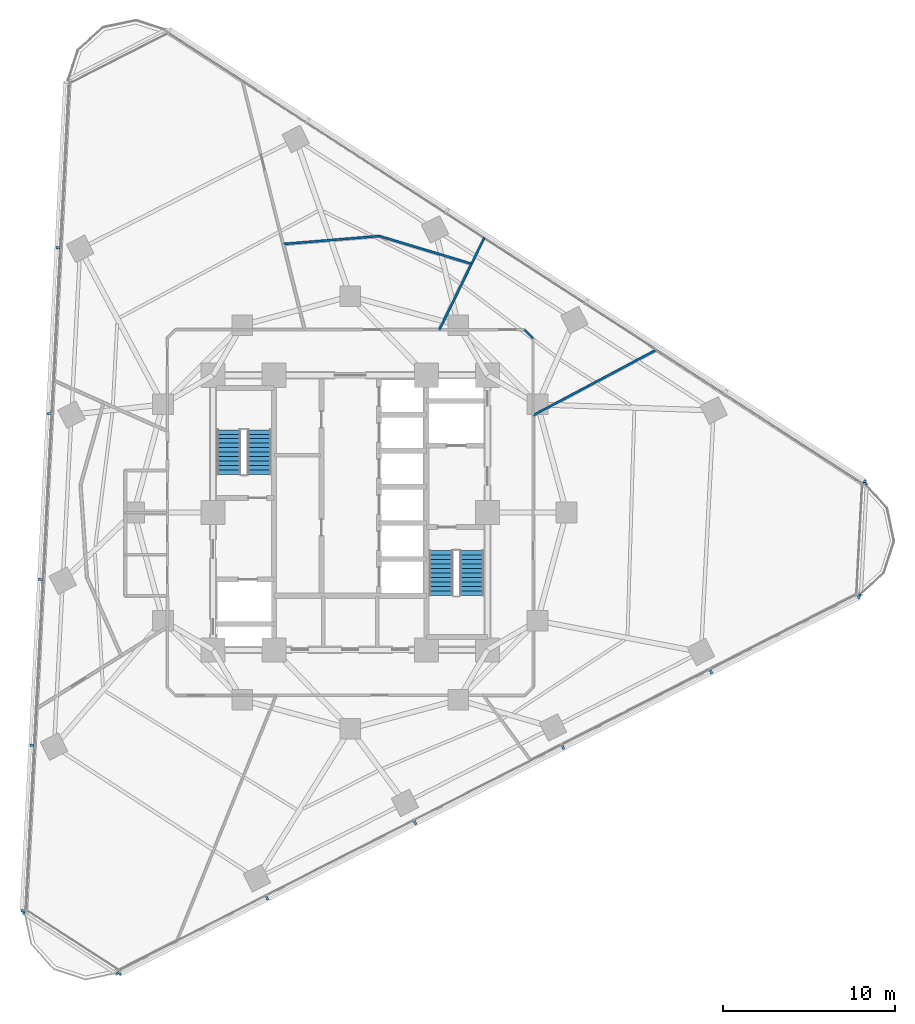
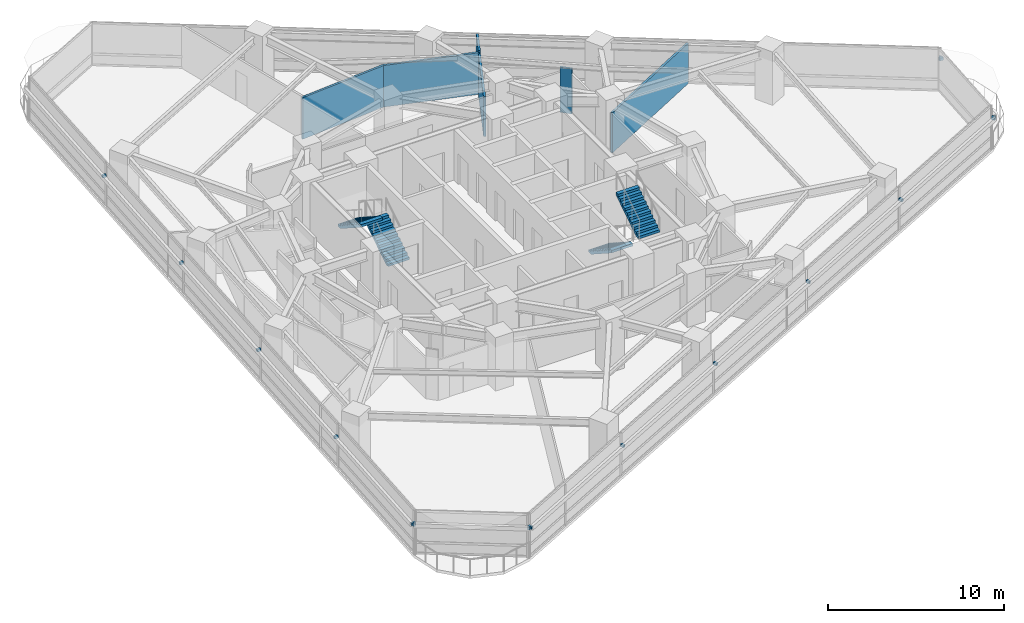
# One storey, part 10 of 14: 16 discrete accessories, 6 walls, 4 stair flights, 2 elements without a shape of their own.
"""IFC4 building model written with IfcOpenShell, lengths in metres."""

import ifcopenshell
import ifcopenshell.guid

model = None  # the IFC model being written
_history = None  # IfcOwnerHistory: only IFC2X3 demands one
_inside = {}  # id of a spatial element -> (the spatial element, [elements in it])
_under = {}  # id of a project, library or spatial element -> (it, [spatial elements below it])
_declared = {}  # id of a project -> (the project, [libraries it declares])
_typed = {}  # id of a type object -> (the type object, [elements of that type])
_made_of = {}  # id of a material, layer set ... -> (it, [elements and type objects made of it])


def new_model(schema):
    """Start an empty IFC model of exactly this schema.

    Asked for "IFC4X3", IfcOpenShell would pick the latest addendum, in which some entities
    have other attributes; the version numbers below select the first issue.
    IFC2X3 requires an IfcOwnerHistory on every rooted entity: one is made here for all.
    """
    global model, _history
    if schema == "IFC4X3":
        model = ifcopenshell.file(schema_version=(4, 3, 0, 0))
    else:
        model = ifcopenshell.file(schema=schema)
    _inside.clear()
    _under.clear()
    _declared.clear()
    _typed.clear()
    _made_of.clear()
    _history = None
    if model.schema == "IFC2X3":
        org = make("IfcOrganization", Name="unknown")
        user = make(
            "IfcPersonAndOrganization",
            ThePerson=make("IfcPerson", FamilyName="unknown"),
            TheOrganization=org,
        )
        app = make(
            "IfcApplication",
            ApplicationDeveloper=org,
            Version="unknown",
            ApplicationFullName="unknown",
            ApplicationIdentifier="unknown",
        )
        _history = make(
            "IfcOwnerHistory",
            OwningUser=user,
            OwningApplication=app,
            ChangeAction="ADDED",
            CreationDate=0,
        )
    return model


def make(cls, **values):
    """One entity of the class cls with the attributes given. An attribute that is None is left unset."""
    return model.create_entity(
        cls, **{name: value for name, value in values.items() if value is not None}
    )


def rooted(cls, **values):
    """An entity with a GlobalId (a new one), such as an element, a storey or a relation."""
    return make(cls, GlobalId=ifcopenshell.guid.new(), OwnerHistory=_history, **values)


def si_unit(unit_type, name, prefix=None):
    """IfcSIUnit, for example si_unit("LENGTHUNIT", "METRE", prefix="MILLI")."""
    return make("IfcSIUnit", UnitType=unit_type, Prefix=prefix, Name=name)


def assignment(units):
    """IfcUnitAssignment: the units of a project."""
    return None if units is None else make("IfcUnitAssignment", Units=units)


def point(xyz):
    """IfcCartesianPoint."""
    return None if xyz is None else make("IfcCartesianPoint", Coordinates=xyz)


def direction(xyz):
    """IfcDirection."""
    return None if xyz is None else make("IfcDirection", DirectionRatios=xyz)


def frame(location, z_axis=None, x_axis=None):
    """IfcAxis2Placement3D, a coordinate frame: its origin and axes. An axis left out is left unset."""
    return make(
        "IfcAxis2Placement3D",
        Location=point(location),
        Axis=direction(z_axis),
        RefDirection=direction(x_axis),
    )


def frame_2d(location, x_axis=None):
    """IfcAxis2Placement2D, a coordinate frame in the plane: its origin and x axis."""
    return make(
        "IfcAxis2Placement2D", Location=point(location), RefDirection=direction(x_axis)
    )


def origin():
    """The frame at (0, 0, 0) with its axes left unset."""
    return frame((0.0, 0.0, 0.0))


def origin_2d():
    """The frame at (0, 0) in the plane with its x axis left unset."""
    return frame_2d((0.0, 0.0))


def place(relative_to, where):
    """IfcLocalPlacement: puts the frame where relative to a parent placement (None: the world)."""
    return make(
        "IfcLocalPlacement", PlacementRelTo=relative_to, RelativePlacement=where
    )


def context(
    kind, dimensions, precision=None, world=None, true_north=None, identifier=None
):
    """IfcGeometricRepresentationContext, for example the 3D "Model" context."""
    return make(
        "IfcGeometricRepresentationContext",
        ContextIdentifier=identifier,
        ContextType=kind,
        CoordinateSpaceDimension=dimensions,
        Precision=precision,
        WorldCoordinateSystem=world,
        TrueNorth=true_north,
    )


def subcontext(parent, identifier, kind, view, scale=None):
    """IfcGeometricRepresentationSubContext, for example "Body" below "Model"."""
    return make(
        "IfcGeometricRepresentationSubContext",
        ContextIdentifier=identifier,
        ContextType=kind,
        ParentContext=parent,
        TargetScale=scale,
        TargetView=view,
    )


def project(units=None, contexts=None):
    """IfcProject with its units and contexts."""
    return rooted(
        "IfcProject",
        Name="project",
        RepresentationContexts=contexts,
        UnitsInContext=assignment(units),
    )


def spatial(cls, under=None, at=None, **own):
    """A site, building, storey or space (cls), placed at a placement, below another one or the project."""
    s = rooted(cls, ObjectPlacement=at, **own)
    if under is not None:
        _under.setdefault(under.id(), (under, []))[1].append(s)
    return s


def polyline(points):
    """IfcPolyline through the points."""
    return make("IfcPolyline", Points=[point(p) for p in points])


def profile(cls, at=None, kind="AREA", **sizes):
    """A parametric profile (cls). Its sizes go by their IFC names, for example OverallWidth=200.0."""
    return make(cls, ProfileType=kind, Position=at, **sizes)


def rectangle(**sizes):
    """IfcRectangleProfileDef."""
    return profile("IfcRectangleProfileDef", **sizes)


def outline(outer, holes=None, kind="AREA"):
    """IfcArbitraryClosedProfileDef: a profile drawn as a closed curve; with holes, ...WithVoids."""
    if holes is None:
        return make("IfcArbitraryClosedProfileDef", ProfileType=kind, OuterCurve=outer)
    return make(
        "IfcArbitraryProfileDefWithVoids",
        ProfileType=kind,
        OuterCurve=outer,
        InnerCurves=holes,
    )


def extrude(swept, where, along, depth):
    """IfcExtrudedAreaSolid: the profile swept, set in the frame where, extruded along a direction by depth."""
    return make(
        "IfcExtrudedAreaSolid",
        SweptArea=swept,
        Position=where,
        ExtrudedDirection=direction(along),
        Depth=depth,
    )


def shape(context_of_items, identifier, shape_type, items):
    """IfcShapeRepresentation: the items that make up one representation, for example the "Body"."""
    return make(
        "IfcShapeRepresentation",
        ContextOfItems=context_of_items,
        RepresentationIdentifier=identifier,
        RepresentationType=shape_type,
        Items=items,
    )


def material(Name=None, Category=None):
    """IfcMaterial."""
    return make("IfcMaterial", Name=Name, Category=Category)


def layer(
    of_material, thickness, ventilated=None, Name=None, Category=None, Priority=None
):
    """IfcMaterialLayer: one layer of a wall or slab, of a material (None: an air gap)."""
    return make(
        "IfcMaterialLayer",
        Material=of_material,
        LayerThickness=thickness,
        IsVentilated=ventilated,
        Name=Name,
        Category=Category,
        Priority=Priority,
    )


def layer_set(layers, Name=None):
    """IfcMaterialLayerSet."""
    return make("IfcMaterialLayerSet", MaterialLayers=layers, LayerSetName=Name)


def made_of(thing, what):
    """Note that an element or type object is made of a material, layer set ...; save() writes the relation."""
    if what is not None:
        _made_of.setdefault(what.id(), (what, []))[1].append(thing)
    return thing


def type_object(cls, material=None, **own):
    """A type object (cls), such as IfcWallType, which elements share."""
    return made_of(rooted(cls, **own), material)


def element(
    cls,
    number,
    at=None,
    inside=None,
    cuts=None,
    type_object=None,
    material=None,
    context=None,
    identifier="Body",
    shape_type=None,
    held_by="IfcProductDefinitionShape",
    body=None,
    shapes=None,
    **own,
):
    """One element of the class cls, such as IfcWall. Its Tag is "e" and its number.

    at: its placement. inside: the storey or other place that contains it. cuts: it is an
    opening in that element (IfcRelVoidsElement). A single representation is given by context,
    identifier, shape_type and body (its items); several are given by shapes. held_by: the class
    of the entity that holds the representations. save() writes the other relations.
    """
    e = rooted(cls, Tag="e%d" % number, ObjectPlacement=at, **own)
    if body is not None:
        shapes = [shape(context, identifier, shape_type, body)]
    if shapes is not None:
        e.Representation = make(held_by, Representations=shapes)
    if inside is not None:
        _inside.setdefault(inside.id(), (inside, []))[1].append(e)
    if cuts is not None:
        rooted(
            "IfcRelVoidsElement", RelatingBuildingElement=cuts, RelatedOpeningElement=e
        )
    if type_object is not None:
        _typed.setdefault(type_object.id(), (type_object, []))[1].append(e)
    return made_of(e, material)


def aggregate(whole, parts):
    """IfcRelAggregates: a whole, such as a stair, and the parts it consists of."""
    return rooted("IfcRelAggregates", RelatingObject=whole, RelatedObjects=parts)


def save(model, path):
    """Write the relations noted so far, then the file.

    IfcRelAggregates (storeys below a building ...), IfcRelContainedInSpatialStructure (elements
    in a storey), IfcRelDefinesByType, IfcRelAssociatesMaterial and IfcRelDeclares: one each for
    every whole, place, type object, material and project.
    """
    for whole, parts in _under.values():
        aggregate(whole, parts)
    for where, things in _inside.values():
        rooted(
            "IfcRelContainedInSpatialStructure",
            RelatedElements=things,
            RelatingStructure=where,
        )
    for kind, things in _typed.values():
        rooted("IfcRelDefinesByType", RelatedObjects=things, RelatingType=kind)
    for what, things in _made_of.values():
        rooted("IfcRelAssociatesMaterial", RelatedObjects=things, RelatingMaterial=what)
    for by, libraries in _declared.values():
        rooted("IfcRelDeclares", RelatingContext=by, RelatedDefinitions=libraries)
    model.write(path)


model = new_model("IFC4")

# Units and contexts
model_context = context("Model", 3, precision=1e-05, world=origin(), true_north=direction((0.0, 1.0)))
body_context = subcontext(model_context, "Body", "Model", "MODEL_VIEW")
ifc_project = project(units=[si_unit("LENGTHUNIT", "METRE"), si_unit("AREAUNIT", "SQUARE_METRE"), si_unit("VOLUMEUNIT", "CUBIC_METRE"), si_unit("PLANEANGLEUNIT", "RADIAN"), si_unit("MASSUNIT", "GRAM", prefix="KILO")], contexts=[model_context])

# Site, building, storey
site_placement = place(None, origin())
site = spatial("IfcSite", under=ifc_project, at=site_placement, CompositionType="ELEMENT")
building_placement = place(site_placement, origin())
building = spatial("IfcBuilding", under=site, at=building_placement, Name="Terralouvre Media Tower", CompositionType="ELEMENT")
storey_placement = place(building_placement, frame((0.0, 0.0, 138.39990234375)))
storey = spatial("IfcBuildingStorey", under=building, at=storey_placement, Name="L35", CompositionType="ELEMENT", Elevation=138.39990234375)

# Walls
ifc_material_1 = material(Name="Fire-rated gypsum board drywall partition")
ifc_layer = layer(ifc_material_1, 0.135009765625, Name="Newsroom Acoustic Partition PT-135")
ifc_layer_set = layer_set([ifc_layer], Name="Fire-rated gypsum board drywall partition")
wall_type = type_object("IfcWallType", Name="Newsroom Acoustic Partition PT-135", PredefinedType="PARTITIONING", material=ifc_layer_set)
wall_1_placement = place(storey_placement, frame((10.64990234375, 10.14990234375, 0.0), z_axis=(0.0, 0.0, 1.0), x_axis=(-0.707106781187, 0.707106781187, 0.0)))
element("IfcWall", 1, at=wall_1_placement, inside=storey, type_object=wall_type, Name="L35 Interior Partition 013", PredefinedType="PARTITIONING", context=body_context, shape_type="SweptSolid", body=[
    extrude(rectangle(XDim=0.70703125, YDim=0.135009765625, at=frame_2d((0.353515625, 0.0))), origin(), (0.0, 0.0, 1.0), 3.125),
])
wall_2_placement = place(storey_placement, frame((17.8603515625, 9.49658203125, 0.0), z_axis=(0.0, 0.0, 1.0), x_axis=(-0.882966259968, -0.469436453376, 0.0)))
element("IfcWall", 2, at=wall_2_placement, inside=storey, type_object=wall_type, Name="L35 Interior Partition 036", PredefinedType="PARTITIONING", context=body_context, shape_type="SweptSolid", body=[
    extrude(rectangle(XDim=8.166259765625, YDim=0.135009765625, at=frame_2d((4.0830078125, 0.0))), origin(), (0.0, 0.0, 1.0), 2.78515625),
])
wall_3_placement = place(storey_placement, frame((7.069091796875, 14.492919921875, 0.0), z_axis=(0.0, 0.0, 1.0), x_axis=(-0.438491124388, -0.898735519401, 0.0)))
element("IfcWall", 3, at=wall_3_placement, inside=storey, type_object=wall_type, Name="L35 Interior Partition 037", PredefinedType="PARTITIONING", context=body_context, shape_type="SweptSolid", body=[
    extrude(rectangle(XDim=4.276123046875, YDim=0.135009765625, at=frame_2d((2.13818359375, 0.0))), origin(), (0.0, 0.0, 1.0), 2.78515625),
])
wall_4_placement = place(storey_placement, frame((7.8134765625, 16.02099609375, 0.0), z_axis=(0.0, 0.0, 1.0), x_axis=(-0.437939658317, -0.899004369107, 0.0)))
element("IfcWall", 4, at=wall_4_placement, inside=storey, type_object=wall_type, Name="L35 Interior Partition 038", PredefinedType="PARTITIONING", context=body_context, shape_type="SweptSolid", body=[
    extrude(rectangle(XDim=1.69970703125, YDim=0.135009765625, at=frame_2d((0.849853515625, 0.0))), origin(), (0.0, 0.0, 1.0), 2.985107421875),
])
wall_5_placement = place(storey_placement, frame((7.069091796875, 14.492919921875, 0.0), z_axis=(0.0, 0.0, 1.0), x_axis=(-0.957562573124, 0.288225464789, 0.0)))
element("IfcWall", 5, at=wall_5_placement, inside=storey, type_object=wall_type, Name="L35 Interior Partition 039", PredefinedType="PARTITIONING", context=body_context, shape_type="SweptSolid", body=[
    extrude(rectangle(XDim=5.6142578125, YDim=0.135009765625, at=frame_2d((2.80712890625, 0.0))), origin(), (0.0, 0.0, 1.0), 2.885009765625),
])
wall_6_placement = place(storey_placement, frame((1.693115234375, 16.111083984375, 0.0), z_axis=(0.0, 0.0, 1.0), x_axis=(-0.996561637531, -0.082854707786, 0.0)))
element("IfcWall", 6, at=wall_6_placement, inside=storey, type_object=wall_type, Name="L35 Interior Partition 040", PredefinedType="PARTITIONING", context=body_context, shape_type="SweptSolid", body=[
    extrude(rectangle(XDim=5.61328125, YDim=0.135009765625, at=frame_2d((2.806640625, 0.0))), origin(), (0.0, 0.0, 1.0), 2.885009765625),
])

# Stair, stair flights
ifc_material_2 = material(Name="Concrete C45/55", Category="concrete")
stair_type_1 = type_object("IfcStairType", Name="Dogleg Stair Assembly ST-01", PredefinedType="HALF_TURN_STAIR", material=ifc_material_2)
stair_1_placement = place(storey_placement, origin())
stair_1 = element("IfcStair", 7, at=stair_1_placement, inside=storey, type_object=stair_type_1, Name="L35 Core Pressurised Exit Stair ST-01", PredefinedType="HALF_TURN_STAIR")
ifc_material_3 = material(Name="Concrete C45/55", Category="concrete")
stair_flight_type = type_object("IfcStairFlightType", Name="Reinforced Concrete Stair Flight SF-RC1", PredefinedType="STRAIGHT", material=ifc_material_3)
stair_flight_1_placement = place(storey_placement, frame((-5.300048828125, 2.219970703125, 0.0), z_axis=(0.0, 0.0, 1.0), x_axis=(0.0, 1.0, 0.0)))
stair_flight_1 = element("IfcStairFlight", 8, at=stair_flight_1_placement, type_object=stair_flight_type, Name="ST-01 flight 1", NumberOfRisers=11, NumberOfTreads=10, PredefinedType="STRAIGHT", RiserHeight=0.168181818, TreadLength=0.26, context=body_context, shape_type="SweptSolid", body=[
    extrude(outline(polyline([(0.0, 0.0), (0.0, 0.168212890625), (0.260009765625, 0.168212890625), (0.260009765625, 0.33642578125), (0.52001953125, 0.33642578125), (0.52001953125, 0.504638671875), (0.780029296875, 0.504638671875), (0.780029296875, 0.672607421875), (1.0400390625, 0.672607421875), (1.0400390625, 0.8408203125), (1.300048828125, 0.8408203125), (1.300048828125, 1.009033203125), (1.56005859375, 1.009033203125), (1.56005859375, 1.17724609375), (1.820068359375, 1.17724609375), (1.820068359375, 1.345458984375), (2.080078125, 1.345458984375), (2.080078125, 1.513671875), (2.340087890625, 1.513671875), (2.340087890625, 1.681884765625), (2.60009765625, 1.681884765625), (2.60009765625, 1.85009765625), (2.60009765625, 1.503173828125), (0.27587890625, 0.0), (0.0, 0.0)])), frame((0.0, 0.699951171875, 0.0), z_axis=(0.0, -1.0, 0.0), x_axis=(1.0, 0.0, 0.0)), (0.0, 0.0, 1.0), 1.39990234375),
])
stair_flight_2_placement = place(storey_placement, frame((-7.080078125, 4.820068359375, 1.85009765625), z_axis=(0.0, 0.0, 1.0), x_axis=(0.0, -1.0, 0.0)))
stair_flight_2 = element("IfcStairFlight", 9, at=stair_flight_2_placement, type_object=stair_flight_type, Name="ST-01 flight 2", NumberOfRisers=11, NumberOfTreads=10, PredefinedType="STRAIGHT", RiserHeight=0.168181818, TreadLength=0.26, context=body_context, shape_type="SweptSolid", body=[
    extrude(outline(polyline([(0.0, 0.0), (0.0, 0.168212890625), (0.260009765625, 0.168212890625), (0.260009765625, 0.33642578125), (0.52001953125, 0.33642578125), (0.52001953125, 0.504638671875), (0.780029296875, 0.504638671875), (0.780029296875, 0.672607421875), (1.0400390625, 0.672607421875), (1.0400390625, 0.8408203125), (1.300048828125, 0.8408203125), (1.300048828125, 1.009033203125), (1.56005859375, 1.009033203125), (1.56005859375, 1.17724609375), (1.820068359375, 1.17724609375), (1.820068359375, 1.345458984375), (2.080078125, 1.345458984375), (2.080078125, 1.513671875), (2.340087890625, 1.513671875), (2.340087890625, 1.681884765625), (2.60009765625, 1.681884765625), (2.60009765625, 1.85009765625), (2.60009765625, 1.503173828125), (0.27587890625, 0.0), (0.0, 0.0)])), frame((0.0, 0.699951171875, 0.0), z_axis=(0.0, -1.0, 0.0), x_axis=(1.0, 0.0, 0.0)), (0.0, 0.0, 1.0), 1.39990234375),
])
aggregate(stair_1, [stair_flight_1, stair_flight_2])

ifc_material_4 = material(Name="Concrete C45/55", Category="concrete")
stair_type_2 = type_object("IfcStairType", Name="Dogleg Stair Assembly ST-02", PredefinedType="HALF_TURN_STAIR", material=ifc_material_4)
stair_2_placement = place(storey_placement, origin())
stair_2 = element("IfcStair", 10, at=stair_2_placement, inside=storey, type_object=stair_type_2, Name="L35 Core Pressurised Exit Stair ST-02", PredefinedType="HALF_TURN_STAIR")
stair_flight_3_placement = place(storey_placement, frame((5.300048828125, -2.219970703125, 0.0), z_axis=(0.0, 0.0, 1.0), x_axis=(0.0, -1.0, 0.0)))
stair_flight_3 = element("IfcStairFlight", 11, at=stair_flight_3_placement, type_object=stair_flight_type, Name="ST-02 flight 1", NumberOfRisers=11, NumberOfTreads=10, PredefinedType="STRAIGHT", RiserHeight=0.168181818, TreadLength=0.26, context=body_context, shape_type="SweptSolid", body=[
    extrude(outline(polyline([(0.0, 0.0), (0.0, 0.168212890625), (0.260009765625, 0.168212890625), (0.260009765625, 0.33642578125), (0.52001953125, 0.33642578125), (0.52001953125, 0.504638671875), (0.780029296875, 0.504638671875), (0.780029296875, 0.672607421875), (1.0400390625, 0.672607421875), (1.0400390625, 0.8408203125), (1.300048828125, 0.8408203125), (1.300048828125, 1.009033203125), (1.56005859375, 1.009033203125), (1.56005859375, 1.17724609375), (1.820068359375, 1.17724609375), (1.820068359375, 1.345458984375), (2.080078125, 1.345458984375), (2.080078125, 1.513671875), (2.340087890625, 1.513671875), (2.340087890625, 1.681884765625), (2.60009765625, 1.681884765625), (2.60009765625, 1.85009765625), (2.60009765625, 1.503173828125), (0.27587890625, 0.0), (0.0, 0.0)])), frame((0.0, 0.699951171875, 0.0), z_axis=(0.0, -1.0, 0.0), x_axis=(1.0, 0.0, 0.0)), (0.0, 0.0, 1.0), 1.39990234375),
])
stair_flight_4_placement = place(storey_placement, frame((7.080078125, -4.820068359375, 1.85009765625), z_axis=(0.0, 0.0, 1.0), x_axis=(0.0, 1.0, 0.0)))
stair_flight_4 = element("IfcStairFlight", 12, at=stair_flight_4_placement, type_object=stair_flight_type, Name="ST-02 flight 2", NumberOfRisers=11, NumberOfTreads=10, PredefinedType="STRAIGHT", RiserHeight=0.168181818, TreadLength=0.26, context=body_context, shape_type="SweptSolid", body=[
    extrude(outline(polyline([(0.0, 0.0), (0.0, 0.168212890625), (0.260009765625, 0.168212890625), (0.260009765625, 0.33642578125), (0.52001953125, 0.33642578125), (0.52001953125, 0.504638671875), (0.780029296875, 0.504638671875), (0.780029296875, 0.672607421875), (1.0400390625, 0.672607421875), (1.0400390625, 0.8408203125), (1.300048828125, 0.8408203125), (1.300048828125, 1.009033203125), (1.56005859375, 1.009033203125), (1.56005859375, 1.17724609375), (1.820068359375, 1.17724609375), (1.820068359375, 1.345458984375), (2.080078125, 1.345458984375), (2.080078125, 1.513671875), (2.340087890625, 1.513671875), (2.340087890625, 1.681884765625), (2.60009765625, 1.681884765625), (2.60009765625, 1.85009765625), (2.60009765625, 1.503173828125), (0.27587890625, 0.0), (0.0, 0.0)])), frame((0.0, 0.699951171875, 0.0), z_axis=(0.0, -1.0, 0.0), x_axis=(1.0, 0.0, 0.0)), (0.0, 0.0, 1.0), 1.39990234375),
])
aggregate(stair_2, [stair_flight_3, stair_flight_4])

# Discrete accessories
ifc_material_5 = material(Name="Anodised extruded aluminium 6063-T6", Category="aluminium")
discrete_accessory_type = type_object("IfcDiscreteAccessoryType", Name="Mullion Stand-Off Baguette Fixing Bracket BK-01", PredefinedType="BRACKET", material=ifc_material_5)
for number, where, z_axis, x_axis, name in (
    (13, (-13.442626953125, -26.840087890625, 2.07421875), (0.0, 0.0, 1.0), (0.891006501178, 0.4539905449, 0.0), "CW-L35-F0 Baguette Outrigger Bracket 1.01"),
    (14, (-4.85107421875, -22.46240234375, 2.07421875), (0.0, 0.0, 1.0), (0.891006501178, 0.4539905449, 0.0), "CW-L35-F0 Baguette Outrigger Bracket 1.02"),
    (15, (3.77392578125, -18.06787109375, 2.07421875), (0.0, 0.0, 1.0), (0.891006501178, 0.4539905449, 0.0), "CW-L35-F0 Baguette Outrigger Bracket 1.03"),
    (16, (12.39892578125, -13.673095703125, 2.07421875), (0.0, 0.0, 1.0), (0.891006501178, 0.4539905449, 0.0), "CW-L35-F0 Baguette Outrigger Bracket 1.04"),
    (17, (21.02392578125, -9.278564453125, 2.07421875), (0.0, 0.0, 1.0), (0.891006501178, 0.4539905449, 0.0), "CW-L35-F0 Baguette Outrigger Bracket 1.05"),
    (18, (29.615478515625, -4.90087890625, 2.07421875), (0.0, 0.0, 1.0), (0.891006501178, 0.4539905449, 0.0), "CW-L35-F0 Baguette Outrigger Bracket 1.06"),
    (19, (29.96533203125, 1.778564453125, 2.07421875), (0.0, 0.0, 1.0), (-0.838670588944, 0.544639002681, 0.0), "CW-L35-F1 Baguette Outrigger Bracket 1.01"),
    (20, (-17.027587890625, 15.432373046875, 2.07421875), (0.0, 0.0, 1.0), (-0.052335949864, -0.998629535089, 0.0), "CW-L35-F2 Baguette Outrigger Bracket 1.02"),
    (21, (-17.5341796875, 5.765625, 2.07421875), (0.0, 0.0, 1.0), (-0.052335949864, -0.998629535089, 0.0), "CW-L35-F2 Baguette Outrigger Bracket 1.03"),
    (22, (-18.040771484375, -3.901123046875, 2.07421875), (0.0, 0.0, 1.0), (-0.052335949864, -0.998629535089, 0.0), "CW-L35-F2 Baguette Outrigger Bracket 1.04"),
    (23, (-18.54736328125, -13.56787109375, 2.07421875), (0.0, 0.0, 1.0), (-0.052335949864, -0.998629535089, 0.0), "CW-L35-F2 Baguette Outrigger Bracket 1.05"),
    (24, (-19.052001953125, -23.197265625, 2.07421875), (0.0, 0.0, 1.0), (-0.052335949864, -0.998629535089, 0.0), "CW-L35-F2 Baguette Outrigger Bracket 1.06"),
    (25, (-18.993408203125, -23.27392578125, 2.07421875), (0.0, 0.0, 1.0), (0.838670390568, -0.544639308152, 0.0), "CW-L35-C0 Baguette Outrigger Bracket 1.01"),
    (26, (-13.536376953125, -26.81787109375, 2.07421875), (0.0, 0.0, 1.0), (0.838670390568, -0.544639308152, 0.0), "CW-L35-C0 Baguette Outrigger Bracket 1.02"),
    (27, (29.652587890625, -4.81201171875, 2.07421875), (0.0, 0.0, 1.0), (0.052336823006, 0.998629489329, 0.0), "CW-L35-C1 Baguette Outrigger Bracket 1.01"),
    (28, (29.9931640625, 1.68603515625, 2.07421875), (0.0, 0.0, 1.0), (0.052336823006, 0.998629489329, 0.0), "CW-L35-C1 Baguette Outrigger Bracket 1.02"),
):
    element("IfcDiscreteAccessory", number, at=place(storey_placement, frame(where, z_axis=z_axis, x_axis=x_axis)), inside=storey, type_object=discrete_accessory_type, Name=name, PredefinedType="BRACKET", context=body_context, shape_type="SweptSolid", body=[
        extrude(rectangle(XDim=0.139892578125, YDim=0.239990234375, at=origin_2d()), origin(), (0.0, 0.0, 1.0), 0.179931640625),
    ])

save(model, "model.ifc")
